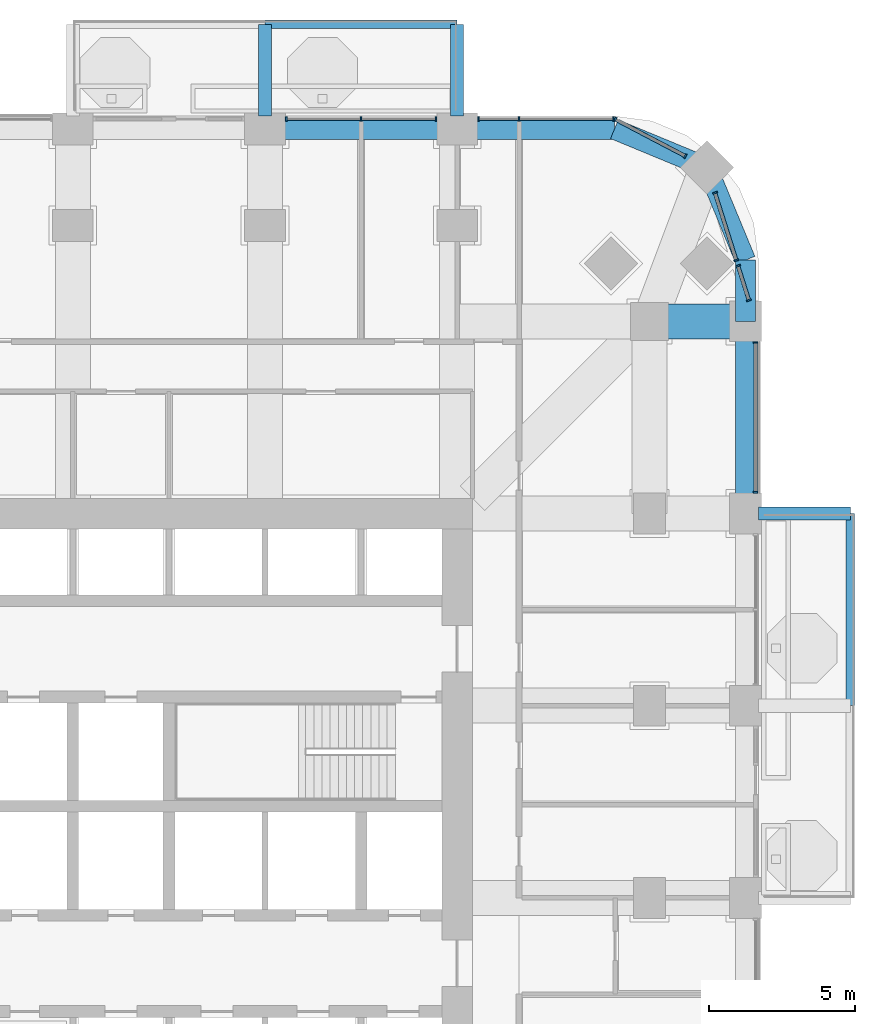
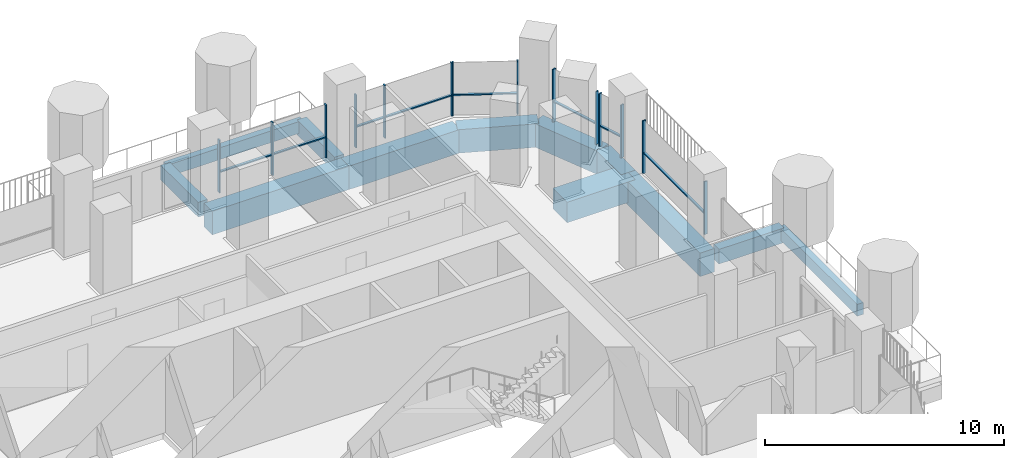
# One storey, part 8 of 22: 22 members, 12 beams, 6 elements without a shape of their own.
"""IFC4 building model written with IfcOpenShell, lengths in metres."""

from ifc_helpers import new_model, si_unit, direction, frame, origin, origin_2d, place, context, subcontext, project, spatial, rectangle, extrude, material, material_profile, profile_set, type_object, element, aggregate, save


model = new_model("IFC4")

# Units and contexts
model_context = context("Model", 3, precision=1e-05, world=origin(), true_north=direction((0.0, 1.0)))
body_context = subcontext(model_context, "Body", "Model", "MODEL_VIEW")
ifc_project = project(units=[si_unit("LENGTHUNIT", "METRE"), si_unit("AREAUNIT", "SQUARE_METRE"), si_unit("VOLUMEUNIT", "CUBIC_METRE"), si_unit("PLANEANGLEUNIT", "RADIAN"), si_unit("MASSUNIT", "GRAM", prefix="KILO")], contexts=[model_context])

# Site, building, storey
site_placement = place(None, origin())
site = spatial("IfcSite", under=ifc_project, at=site_placement, CompositionType="ELEMENT")
building_placement = place(site_placement, origin())
building = spatial("IfcBuilding", under=site, at=building_placement, Name="Cobogo Forest Laboratory Tower", CompositionType="ELEMENT")
storey_placement = place(building_placement, frame((0.0, 0.0, 120.0)))
storey = spatial("IfcBuildingStorey", under=building, at=storey_placement, Name="L27", CompositionType="ELEMENT", Elevation=120.0)

# Beams
ifc_material_1 = material(Name="Concrete HA-40 (C40/50)", Category="concrete")
ifc_material_profile_1 = material_profile(ifc_material_1, rectangle(XDim=0.449951171875, YDim=0.75, at=origin_2d()), Name="RC 450x750")
ifc_profile_set_1 = profile_set([ifc_material_profile_1], Name="Concrete HA-40 (C40/50)")
beam_type_1 = type_object("IfcBeamType", Name="Balcony cantilever beam 450x750", PredefinedType="BEAM", material=ifc_profile_set_1)
for number, where, z_axis, x_axis, name in (
    (1, (49.949951171875, 33.0, -0.625), (1.0, 0.0, 0.0), (0.0, 1.0, 0.0), "CB1 BAL-E1-C3 L27"),
    (2, (33.0, 46.64990234375, -0.625), (0.0, 1.0, 0.0), (-1.0, 0.0, 0.0), "CB1 BAL-N1-C2 L27"),
    (3, (39.60009765625, 46.64990234375, -0.625), (0.0, 1.0, 0.0), (-1.0, 0.0, 0.0), "CB1 BAL-N1-C3 L27"),
):
    element("IfcBeam", number, at=place(storey_placement, frame(where, z_axis=z_axis, x_axis=x_axis)), inside=storey, type_object=beam_type_1, Name=name, PredefinedType="BEAM", context=body_context, shape_type="SweptSolid", body=[
        extrude(rectangle(XDim=0.449951171875, YDim=0.75, at=origin_2d()), origin(), (0.0, 0.0, 1.0), 3.150146484375),
    ])
ifc_material_profile_2 = material_profile(ifc_material_1, rectangle(XDim=0.300048828125, YDim=0.60009765625, at=origin_2d()), Name="RC 300x600")
ifc_profile_set_2 = profile_set([ifc_material_profile_2], Name="Concrete HA-40 (C40/50)")
beam_type_2 = type_object("IfcBeamType", Name="Balcony edge beam 300x600", PredefinedType="BEAM", material=ifc_profile_set_2)
for number, where, z_axis, x_axis, name in (
    (4, (53.10009765625, 26.39990234375, -0.550048828125), (0.0, 1.0, 0.0), (-1.0, 0.0, 0.0), "BB1 BAL-E1-T2 L27"),
    (5, (33.0, 49.800048828125, -0.550048828125), (1.0, 0.0, 0.0), (0.0, 1.0, 0.0), "BB1 BAL-N1-T2 L27"),
):
    element("IfcBeam", number, at=place(storey_placement, frame(where, z_axis=z_axis, x_axis=x_axis)), inside=storey, type_object=beam_type_2, Name=name, PredefinedType="BEAM", context=body_context, shape_type="SweptSolid", body=[
        extrude(rectangle(XDim=0.300048828125, YDim=0.60009765625, at=origin_2d()), origin(), (0.0, 0.0, 1.0), 6.60009765625),
    ])
ifc_material_profile_3 = material_profile(ifc_material_1, rectangle(XDim=1.199951171875, YDim=1.050048828125, at=origin_2d()), Name="RC 1200x1050")
ifc_profile_set_3 = profile_set([ifc_material_profile_3], Name="Concrete HA-40 (C40/50)")
beam_type_3 = type_object("IfcBeamType", Name="Laboratory floor wide beam 1200x1050", PredefinedType="BEAM", material=ifc_profile_set_3)
beam_1_placement = place(storey_placement, frame((49.5, 39.60009765625, -0.824951171875), z_axis=(-1.0, 0.0, 0.0), x_axis=(0.0, -1.0, 0.0)))
element("IfcBeam", 6, at=beam_1_placement, inside=storey, type_object=beam_type_3, Name="RB1 G-NE-YF L27", PredefinedType="BEAM", context=body_context, shape_type="SweptSolid", body=[
    extrude(rectangle(XDim=1.199951171875, YDim=1.050048828125, at=origin_2d()), origin(), (0.0, 0.0, 1.0), 3.300048828125),
])

# Curtain wall, members
ifc_material_2 = material(Name="Aluminium curtain wall", Category="aluminium")
curtain_wall_type = type_object("IfcCurtainWallType", Name="CW-1 unitised curtain wall, clear glazing, laboratory floors zones A and B", PredefinedType="USERDEFINED", material=ifc_material_2)
curtain_wall_1_placement = place(storey_placement, origin())
curtain_wall_1 = element("IfcCurtainWall", 7, at=curtain_wall_1_placement, inside=storey, type_object=curtain_wall_type, Name="Curtain wall 14 L27", ObjectType="UNITISED CURTAIN WALL", PredefinedType="USERDEFINED")
ifc_material_3 = material(Name="Aluminium mullion", Category="aluminium")
ifc_material_profile_4 = material_profile(ifc_material_3, rectangle(XDim=0.06005859375, YDim=0.159912109375, at=origin_2d()), Name="AL 60x160")
ifc_profile_set_4 = profile_set([ifc_material_profile_4], Name="Aluminium mullion")
member_type_1 = type_object("IfcMemberType", Name="MU-1 aluminium mullion 60x160", PredefinedType="MULLION", material=ifc_profile_set_4)
member_1_placement = place(storey_placement, frame((49.85009765625, 33.72998046875, 0.0), z_axis=(0.0, 0.0, 1.0), x_axis=(0.0, 1.0, 0.0)))
member_1 = element("IfcMember", 8, at=member_1_placement, type_object=member_type_1, Name="CW-1 mullion 1", PredefinedType="MULLION", context=body_context, shape_type="SweptSolid", body=[
    extrude(rectangle(XDim=0.06005859375, YDim=0.159912109375, at=origin_2d()), origin(), (0.0, 0.0, 1.0), 2.699951171875),
])
member_2_placement = place(storey_placement, frame((49.85009765625, 38.8701171875, 0.0), z_axis=(0.0, 0.0, 1.0), x_axis=(0.0, 1.0, 0.0)))
member_2 = element("IfcMember", 9, at=member_2_placement, type_object=member_type_1, Name="CW-1 mullion 2", PredefinedType="MULLION", context=body_context, shape_type="SweptSolid", body=[
    extrude(rectangle(XDim=0.06005859375, YDim=0.159912109375, at=origin_2d()), origin(), (0.0, 0.0, 1.0), 2.699951171875),
])

curtain_wall_2_placement = place(storey_placement, origin())
curtain_wall_2 = element("IfcCurtainWall", 10, at=curtain_wall_2_placement, inside=storey, type_object=curtain_wall_type, Name="Curtain wall 15 L27", ObjectType="UNITISED CURTAIN WALL", PredefinedType="USERDEFINED")
member_3_placement = place(storey_placement, frame((49.619873046875, 40.32861328125, 0.0), z_axis=(0.0, 0.0, 1.0), x_axis=(-0.301135356805, 0.953581405483, 0.0)))
member_3 = element("IfcMember", 11, at=member_3_placement, type_object=member_type_1, Name="CW-1 mullion 1", PredefinedType="MULLION", context=body_context, shape_type="SweptSolid", body=[
    extrude(rectangle(XDim=0.06005859375, YDim=0.159912109375, at=origin_2d()), origin(), (0.0, 0.0, 1.0), 2.699951171875),
])
member_4_placement = place(storey_placement, frame((49.247802734375, 41.507080078125, 0.0), z_axis=(0.0, 0.0, 1.0), x_axis=(-0.301135356805, 0.953581405483, 0.0)))
member_4 = element("IfcMember", 12, at=member_4_placement, type_object=member_type_1, Name="CW-1 mullion 2", PredefinedType="MULLION", context=body_context, shape_type="SweptSolid", body=[
    extrude(rectangle(XDim=0.06005859375, YDim=0.159912109375, at=origin_2d()), origin(), (0.0, 0.0, 1.0), 2.699951171875),
])

curtain_wall_3_placement = place(storey_placement, origin())
curtain_wall_3 = element("IfcCurtainWall", 13, at=curtain_wall_3_placement, inside=storey, type_object=curtain_wall_type, Name="Curtain wall 16 L27", ObjectType="UNITISED CURTAIN WALL", PredefinedType="USERDEFINED")
member_5_placement = place(storey_placement, frame((49.18701171875, 41.69970703125, 0.0), z_axis=(0.0, 0.0, 1.0), x_axis=(-0.301135291996, 0.953581425949, 0.0)))
member_5 = element("IfcMember", 14, at=member_5_placement, type_object=member_type_1, Name="CW-1 mullion 1", PredefinedType="MULLION", context=body_context, shape_type="SweptSolid", body=[
    extrude(rectangle(XDim=0.06005859375, YDim=0.159912109375, at=origin_2d()), origin(), (0.0, 0.0, 1.0), 2.699951171875),
])
member_6_placement = place(storey_placement, frame((48.455810546875, 44.01513671875, 0.0), z_axis=(0.0, 0.0, 1.0), x_axis=(-0.301135291996, 0.953581425949, 0.0)))
member_6 = element("IfcMember", 15, at=member_6_placement, type_object=member_type_1, Name="CW-1 mullion 2", PredefinedType="MULLION", context=body_context, shape_type="SweptSolid", body=[
    extrude(rectangle(XDim=0.06005859375, YDim=0.159912109375, at=origin_2d()), origin(), (0.0, 0.0, 1.0), 2.699951171875),
])

curtain_wall_4_placement = place(storey_placement, origin())
curtain_wall_4 = element("IfcCurtainWall", 16, at=curtain_wall_4_placement, inside=storey, type_object=curtain_wall_type, Name="Curtain wall 17 L27", ObjectType="UNITISED CURTAIN WALL", PredefinedType="USERDEFINED")
member_7_placement = place(storey_placement, frame((47.431640625, 45.275390625, 0.0), z_axis=(0.0, 0.0, 1.0), x_axis=(-0.885686547075, 0.464283685186, 0.0)))
member_7 = element("IfcMember", 17, at=member_7_placement, type_object=member_type_1, Name="CW-1 mullion 1", PredefinedType="MULLION", context=body_context, shape_type="SweptSolid", body=[
    extrude(rectangle(XDim=0.06005859375, YDim=0.159912109375, at=origin_2d()), origin(), (0.0, 0.0, 1.0), 2.699951171875),
])
member_8_placement = place(storey_placement, frame((45.026611328125, 46.5361328125, 0.0), z_axis=(0.0, 0.0, 1.0), x_axis=(-0.885686547075, 0.464283685186, 0.0)))
member_8 = element("IfcMember", 18, at=member_8_placement, type_object=member_type_1, Name="CW-1 mullion 2", PredefinedType="MULLION", context=body_context, shape_type="SweptSolid", body=[
    extrude(rectangle(XDim=0.06005859375, YDim=0.159912109375, at=origin_2d()), origin(), (0.0, 0.0, 1.0), 2.699951171875),
])

curtain_wall_5_placement = place(storey_placement, origin())
curtain_wall_5 = element("IfcCurtainWall", 19, at=curtain_wall_5_placement, inside=storey, type_object=curtain_wall_type, Name="Curtain wall 18 L27", ObjectType="UNITISED CURTAIN WALL", PredefinedType="USERDEFINED")
member_9_placement = place(storey_placement, frame((44.969970703125, 46.550048828125, 0.0), z_axis=(0.0, 0.0, 1.0), x_axis=(-1.0, 0.0, 0.0)))
member_9 = element("IfcMember", 20, at=member_9_placement, type_object=member_type_1, Name="CW-1 mullion 1", PredefinedType="MULLION", context=body_context, shape_type="SweptSolid", body=[
    extrude(rectangle(XDim=0.06005859375, YDim=0.159912109375, at=origin_2d()), origin(), (0.0, 0.0, 1.0), 2.699951171875),
])
member_10_placement = place(storey_placement, frame((41.72509765625, 46.550048828125, 0.0), z_axis=(0.0, 0.0, 1.0), x_axis=(-1.0, 0.0, 0.0)))
member_10 = element("IfcMember", 21, at=member_10_placement, type_object=member_type_1, Name="CW-1 mullion 2", PredefinedType="MULLION", context=body_context, shape_type="SweptSolid", body=[
    extrude(rectangle(XDim=0.06005859375, YDim=0.159912109375, at=origin_2d()), origin(), (0.0, 0.0, 1.0), 2.699951171875),
])
member_11_placement = place(storey_placement, frame((40.330078125, 46.550048828125, 0.0), z_axis=(0.0, 0.0, 1.0), x_axis=(-1.0, 0.0, 0.0)))
member_11 = element("IfcMember", 22, at=member_11_placement, type_object=member_type_1, Name="CW-1 mullion 3", PredefinedType="MULLION", context=body_context, shape_type="SweptSolid", body=[
    extrude(rectangle(XDim=0.06005859375, YDim=0.159912109375, at=origin_2d()), origin(), (0.0, 0.0, 1.0), 2.699951171875),
])

curtain_wall_6_placement = place(storey_placement, origin())
curtain_wall_6 = element("IfcCurtainWall", 23, at=curtain_wall_6_placement, inside=storey, type_object=curtain_wall_type, Name="Curtain wall 19 L27", ObjectType="UNITISED CURTAIN WALL", PredefinedType="USERDEFINED")
member_12_placement = place(storey_placement, frame((38.8701171875, 46.550048828125, 0.0), z_axis=(0.0, 0.0, 1.0), x_axis=(-1.0, 0.0, 0.0)))
member_12 = element("IfcMember", 24, at=member_12_placement, type_object=member_type_1, Name="CW-1 mullion 1", PredefinedType="MULLION", context=body_context, shape_type="SweptSolid", body=[
    extrude(rectangle(XDim=0.06005859375, YDim=0.159912109375, at=origin_2d()), origin(), (0.0, 0.0, 1.0), 2.699951171875),
])
member_13_placement = place(storey_placement, frame((36.300048828125, 46.550048828125, 0.0), z_axis=(0.0, 0.0, 1.0), x_axis=(-1.0, 0.0, 0.0)))
member_13 = element("IfcMember", 25, at=member_13_placement, type_object=member_type_1, Name="CW-1 mullion 2", PredefinedType="MULLION", context=body_context, shape_type="SweptSolid", body=[
    extrude(rectangle(XDim=0.06005859375, YDim=0.159912109375, at=origin_2d()), origin(), (0.0, 0.0, 1.0), 2.699951171875),
])
member_14_placement = place(storey_placement, frame((33.72998046875, 46.550048828125, 0.0), z_axis=(0.0, 0.0, 1.0), x_axis=(-1.0, 0.0, 0.0)))
member_14 = element("IfcMember", 26, at=member_14_placement, type_object=member_type_1, Name="CW-1 mullion 3", PredefinedType="MULLION", context=body_context, shape_type="SweptSolid", body=[
    extrude(rectangle(XDim=0.06005859375, YDim=0.159912109375, at=origin_2d()), origin(), (0.0, 0.0, 1.0), 2.699951171875),
])

# Beams
ifc_material_profile_5 = material_profile(ifc_material_1, rectangle(XDim=0.699951171875, YDim=1.199951171875, at=origin_2d()), Name="RC 700x1200")
ifc_profile_set_5 = profile_set([ifc_material_profile_5], Name="Concrete HA-40 (C40/50)")
beam_type_4 = type_object("IfcBeamType", Name="Perimeter edge beam 700x1200", PredefinedType="BEAM", material=ifc_profile_set_5)
for number, where, z_axis, x_axis, name in (
    (27, (49.5, 33.0, -0.89990234375), (0.0, 1.0, 0.0), (-1.0, 0.0, 0.0), "EB1 E-E5 L27"),
    (28, (33.0, 46.199951171875, -0.89990234375), (1.0, 0.0, 0.0), (0.0, 1.0, 0.0), "EB1 E-N4 L27"),
):
    element("IfcBeam", number, at=place(storey_placement, frame(where, z_axis=z_axis, x_axis=x_axis)), inside=storey, type_object=beam_type_4, Name=name, PredefinedType="BEAM", context=body_context, shape_type="SweptSolid", body=[
        extrude(rectangle(XDim=0.699951171875, YDim=1.199951171875, at=origin_2d()), origin(), (0.0, 0.0, 1.0), 6.60009765625),
    ])
beam_2_placement = place(storey_placement, frame((49.5, 39.60009765625, -0.89990234375), z_axis=(0.0, 1.0, 0.0), x_axis=(-1.0, 0.0, 0.0)))
element("IfcBeam", 29, at=beam_2_placement, inside=storey, type_object=beam_type_4, Name="EB1 E-NEE1 L27", PredefinedType="BEAM", context=body_context, shape_type="SweptSolid", body=[
    extrude(rectangle(XDim=0.699951171875, YDim=1.199951171875, at=origin_2d()), origin(), (0.0, 0.0, 1.0), 2.099853515625),
])
beam_3_placement = place(storey_placement, frame((49.5, 41.699951171875, -0.89990234375), z_axis=(-0.382691928466, 0.923876013265, 0.0), x_axis=(-0.923876013265, -0.382691928466, 0.0)))
element("IfcBeam", 30, at=beam_3_placement, inside=storey, type_object=beam_type_4, Name="EB1 E-NEE2 L27", PredefinedType="BEAM", context=body_context, shape_type="SweptSolid", body=[
    extrude(rectangle(XDim=0.699951171875, YDim=1.199951171875, at=origin_2d()), origin(), (0.0, 0.0, 1.0), 3.4443359375),
])
beam_4_placement = place(storey_placement, frame((39.60009765625, 46.199951171875, -0.89990234375), z_axis=(1.0, 0.0, 0.0), x_axis=(0.0, 1.0, 0.0)))
element("IfcBeam", 31, at=beam_4_placement, inside=storey, type_object=beam_type_4, Name="EB1 E-NEN1 L27", PredefinedType="BEAM", context=body_context, shape_type="SweptSolid", body=[
    extrude(rectangle(XDim=0.699951171875, YDim=1.199951171875, at=origin_2d()), origin(), (0.0, 0.0, 1.0), 5.39990234375),
])
beam_5_placement = place(storey_placement, frame((45.0, 46.199951171875, -0.89990234375), z_axis=(0.923890694089, -0.382656484822, 0.0), x_axis=(0.382656484822, 0.923890694089, 0.0)))
element("IfcBeam", 32, at=beam_5_placement, inside=storey, type_object=beam_type_4, Name="EB1 E-NEN2 L27", PredefinedType="BEAM", context=body_context, shape_type="SweptSolid", body=[
    extrude(rectangle(XDim=0.699951171875, YDim=1.199951171875, at=origin_2d()), origin(), (0.0, 0.0, 1.0), 3.444091796875),
])

# Member
ifc_material_4 = material(Name="Aluminium transom", Category="aluminium")
ifc_material_profile_6 = material_profile(ifc_material_4, rectangle(XDim=0.1201171875, YDim=0.06005859375, at=origin_2d()), Name="AL 60x120")
ifc_profile_set_6 = profile_set([ifc_material_profile_6], Name="Aluminium transom")
member_type_2 = type_object("IfcMemberType", Name="TR-1 aluminium transom 60x120", PredefinedType="USERDEFINED", material=ifc_profile_set_6)
member_15_placement = place(storey_placement, frame((49.85009765625, 33.760009765625, 1.050048828125), z_axis=(0.0, 1.0, 0.0), x_axis=(-1.0, 0.0, 0.0)))
member_15 = element("IfcMember", 33, at=member_15_placement, type_object=member_type_2, Name="CW-1 transom 1.1", ObjectType="TRANSOM", PredefinedType="USERDEFINED", context=body_context, shape_type="SweptSolid", body=[
    extrude(rectangle(XDim=0.1201171875, YDim=0.06005859375, at=origin_2d()), origin(), (0.0, 0.0, 1.0), 5.080078125),
])

aggregate(curtain_wall_1, [member_1, member_2, member_15])

member_16_placement = place(storey_placement, frame((49.61083984375, 40.357177734375, 1.050048828125), z_axis=(-0.301051874343, 0.953607764731, 0.0), x_axis=(-0.953607764731, -0.301051874343, 0.0)))
member_16 = element("IfcMember", 34, at=member_16_placement, type_object=member_type_2, Name="CW-1 transom 1.1", ObjectType="TRANSOM", PredefinedType="USERDEFINED", context=body_context, shape_type="SweptSolid", body=[
    extrude(rectangle(XDim=0.1201171875, YDim=0.06005859375, at=origin_2d()), origin(), (0.0, 0.0, 1.0), 1.17578125),
])

aggregate(curtain_wall_2, [member_3, member_4, member_16])

member_17_placement = place(storey_placement, frame((49.177978515625, 41.728271484375, 1.050048828125), z_axis=(-0.301156039198, 0.953574873859, 0.0), x_axis=(-0.953574873859, -0.301156039198, 0.0)))
member_17 = element("IfcMember", 35, at=member_17_placement, type_object=member_type_2, Name="CW-1 transom 1.1", ObjectType="TRANSOM", PredefinedType="USERDEFINED", context=body_context, shape_type="SweptSolid", body=[
    extrude(rectangle(XDim=0.1201171875, YDim=0.06005859375, at=origin_2d()), origin(), (0.0, 0.0, 1.0), 2.367919921875),
])

aggregate(curtain_wall_3, [member_5, member_6, member_17])

member_18_placement = place(storey_placement, frame((47.405029296875, 45.289306640625, 1.050048828125), z_axis=(-0.885674922116, 0.464305860758, 0.0), x_axis=(-0.464305860758, -0.885674922116, 0.0)))
member_18 = element("IfcMember", 36, at=member_18_placement, type_object=member_type_2, Name="CW-1 transom 1.1", ObjectType="TRANSOM", PredefinedType="USERDEFINED", context=body_context, shape_type="SweptSolid", body=[
    extrude(rectangle(XDim=0.1201171875, YDim=0.06005859375, at=origin_2d()), origin(), (0.0, 0.0, 1.0), 2.6552734375),
])

aggregate(curtain_wall_4, [member_7, member_8, member_18])

member_19_placement = place(storey_placement, frame((44.93994140625, 46.550048828125, 1.050048828125), z_axis=(-1.0, 0.0, 0.0), x_axis=(0.0, -1.0, 0.0)))
member_19 = element("IfcMember", 37, at=member_19_placement, type_object=member_type_2, Name="CW-1 transom 1.1", ObjectType="TRANSOM", PredefinedType="USERDEFINED", context=body_context, shape_type="SweptSolid", body=[
    extrude(rectangle(XDim=0.1201171875, YDim=0.06005859375, at=origin_2d()), origin(), (0.0, 0.0, 1.0), 3.18505859375),
])

member_20_placement = place(storey_placement, frame((41.695068359375, 46.550048828125, 1.050048828125), z_axis=(-1.0, 0.0, 0.0), x_axis=(0.0, -1.0, 0.0)))
member_20 = element("IfcMember", 38, at=member_20_placement, type_object=member_type_2, Name="CW-1 transom 2.1", ObjectType="TRANSOM", PredefinedType="USERDEFINED", context=body_context, shape_type="SweptSolid", body=[
    extrude(rectangle(XDim=0.1201171875, YDim=0.06005859375, at=origin_2d()), origin(), (0.0, 0.0, 1.0), 1.3349609375),
])

aggregate(curtain_wall_5, [member_9, member_10, member_11, member_19, member_20])

member_21_placement = place(storey_placement, frame((38.840087890625, 46.550048828125, 1.050048828125), z_axis=(-1.0, 0.0, 0.0), x_axis=(0.0, -1.0, 0.0)))
member_21 = element("IfcMember", 39, at=member_21_placement, type_object=member_type_2, Name="CW-1 transom 1.1", ObjectType="TRANSOM", PredefinedType="USERDEFINED", context=body_context, shape_type="SweptSolid", body=[
    extrude(rectangle(XDim=0.1201171875, YDim=0.06005859375, at=origin_2d()), origin(), (0.0, 0.0, 1.0), 2.510009765625),
])

member_22_placement = place(storey_placement, frame((36.27001953125, 46.550048828125, 1.050048828125), z_axis=(-1.0, 0.0, 0.0), x_axis=(0.0, -1.0, 0.0)))
member_22 = element("IfcMember", 40, at=member_22_placement, type_object=member_type_2, Name="CW-1 transom 2.1", ObjectType="TRANSOM", PredefinedType="USERDEFINED", context=body_context, shape_type="SweptSolid", body=[
    extrude(rectangle(XDim=0.1201171875, YDim=0.06005859375, at=origin_2d()), origin(), (0.0, 0.0, 1.0), 2.510009765625),
])

aggregate(curtain_wall_6, [member_12, member_13, member_14, member_21, member_22])

save(model, "model.ifc")
